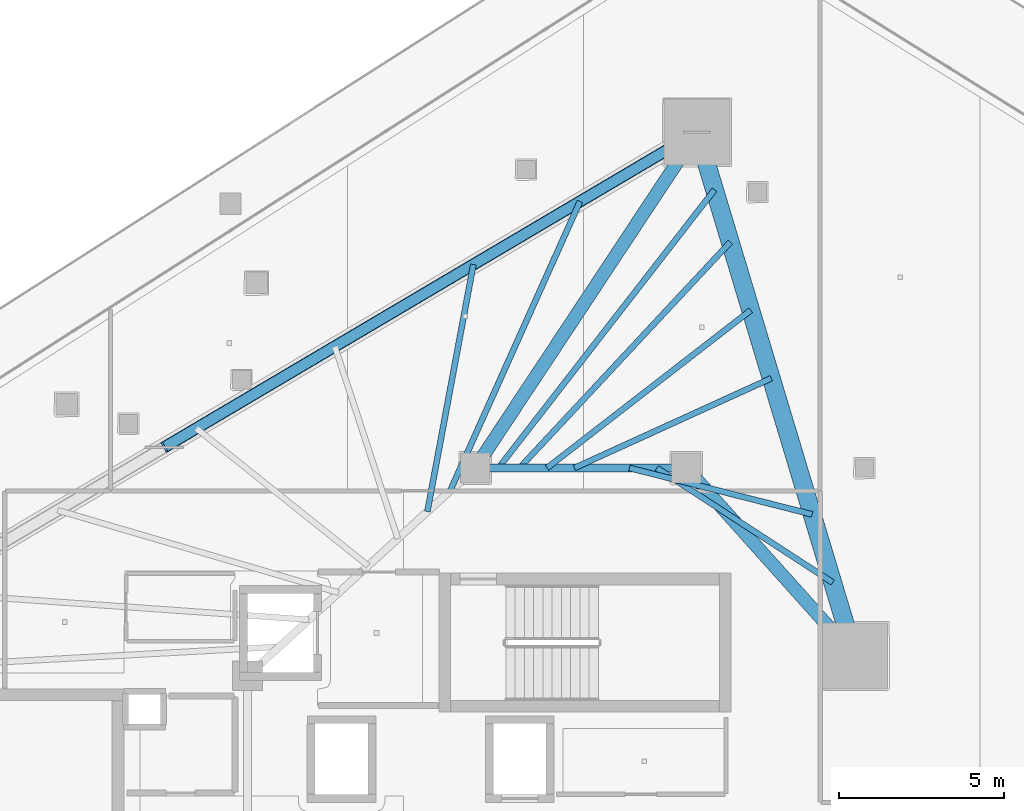
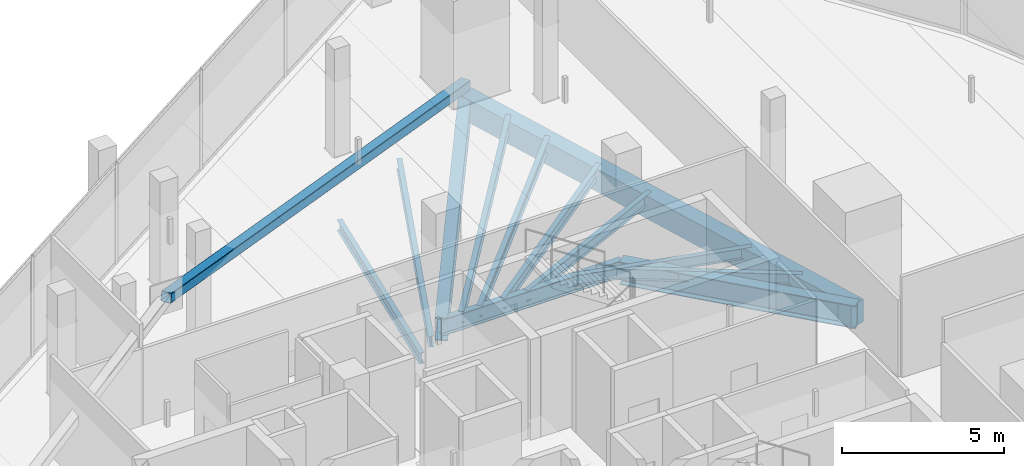
# One storey, part 19 of 39: 12 beams, 1 member.
"""IFC4 building model written with IfcOpenShell, lengths in metres."""

from ifc_helpers import new_model, si_unit, direction, frame, origin, origin_2d, place, context, subcontext, project, spatial, rectangle, hollow_rectangle, i_section, extrude, material, material_profile, profile_set, type_object, element, save


model = new_model("IFC4")

# Units and contexts
model_context = context("Model", 3, precision=1e-05, world=origin(), true_north=direction((0.0, 1.0)))
body_context = subcontext(model_context, "Body", "Model", "MODEL_VIEW")
ifc_project = project(units=[si_unit("LENGTHUNIT", "METRE"), si_unit("AREAUNIT", "SQUARE_METRE"), si_unit("VOLUMEUNIT", "CUBIC_METRE"), si_unit("PLANEANGLEUNIT", "RADIAN"), si_unit("MASSUNIT", "GRAM", prefix="KILO")], contexts=[model_context])

# Site, building, storey
site_placement = place(None, origin())
site = spatial("IfcSite", under=ifc_project, at=site_placement, CompositionType="ELEMENT")
building_placement = place(site_placement, origin())
building = spatial("IfcBuilding", under=site, at=building_placement, Name="Qorvath Tower", CompositionType="ELEMENT")
storey_placement = place(building_placement, frame((0.0, 0.0, 201.0)))
storey = spatial("IfcBuildingStorey", under=building, at=storey_placement, Name="L46", CompositionType="ELEMENT", Elevation=201.0)

# Beams
ifc_material_1 = material(Name="Steel ASTM A992 Grade 50", Category="steel")
ifc_material_profile_1 = material_profile(ifc_material_1, i_section(OverallWidth=0.39892578125, OverallDepth=0.85498046875, WebThickness=0.018310546875, FlangeThickness=0.029296875, FilletRadius=0.02001953125, at=origin_2d()), Name="W33x201")
ifc_profile_set_1 = profile_set([ifc_material_profile_1], Name="Steel ASTM A992 Grade 50")
beam_type_1 = type_object("IfcBeamType", Name="BM-FG2", PredefinedType="BEAM", material=ifc_profile_set_1)
beam_1_placement = place(storey_placement, frame((-23.60009765625, 11.449951171875, -0.697509765625), z_axis=(0.551500517741, 0.834174549439, 0.0), x_axis=(-0.834174549439, 0.551500517741, 0.0)))
element("IfcBeam", 1, at=beam_1_placement, inside=storey, type_object=beam_type_1, Name="Radial Floor Girder CC1-MC6 L46", PredefinedType="BEAM", context=body_context, shape_type="SweptSolid", body=[
    extrude(i_section(OverallWidth=0.39892578125, OverallDepth=0.85498046875, WebThickness=0.018310546875, FlangeThickness=0.029296875, FilletRadius=0.02001953125, at=origin_2d()), origin(), (0.0, 0.0, 1.0), 12.200439453125),
])
beam_2_placement = place(storey_placement, frame((-17.199951171875, 11.449951171875, -0.697509765625), z_axis=(0.667543184261, -0.744571082669, 0.0), x_axis=(0.744571082669, 0.667543184261, 0.0)))
element("IfcBeam", 2, at=beam_2_placement, inside=storey, type_object=beam_type_1, Name="Radial Floor Girder CC2-MC5 L46", PredefinedType="BEAM", context=body_context, shape_type="SweptSolid", body=[
    extrude(i_section(OverallWidth=0.39892578125, OverallDepth=0.85498046875, WebThickness=0.018310546875, FlangeThickness=0.029296875, FilletRadius=0.02001953125, at=origin_2d()), origin(), (0.0, 0.0, 1.0), 7.644775390625),
])
ifc_material_2 = material(Name="Steel ASTM A992 Grade 50", Category="steel")
ifc_material_profile_2 = material_profile(ifc_material_2, i_section(OverallWidth=0.22998046875, OverallDepth=0.616943359375, WebThickness=0.01318359375, FlangeThickness=0.022216796875, FilletRadius=0.014892578125, at=origin_2d()), Name="W24x94")
ifc_profile_set_2 = profile_set([ifc_material_profile_2], Name="Steel ASTM A992 Grade 50")
beam_type_2 = type_object("IfcBeamType", Name="BM-FG6", PredefinedType="BEAM", material=ifc_profile_set_2)
beam_3_placement = place(storey_placement, frame((-23.60009765625, 11.449951171875, -0.57861328125), z_axis=(1.0, 0.0, 0.0), x_axis=(0.0, 1.0, 0.0)))
element("IfcBeam", 3, at=beam_3_placement, inside=storey, type_object=beam_type_2, Name="Core Ring Girder CC1-CC2 L46", PredefinedType="BEAM", context=body_context, shape_type="SweptSolid", body=[
    extrude(i_section(OverallWidth=0.22998046875, OverallDepth=0.616943359375, WebThickness=0.01318359375, FlangeThickness=0.022216796875, FilletRadius=0.014892578125, at=origin_2d()), origin(), (0.0, 0.0, 1.0), 6.400146484375),
])
ifc_material_3 = material(Name="Steel ASTM A992 Grade 50", Category="steel")
ifc_material_profile_3 = material_profile(ifc_material_3, i_section(OverallWidth=0.177978515625, OverallDepth=0.406005859375, WebThickness=0.0078125, FlangeThickness=0.0126953125, FilletRadius=0.010986328125, at=origin_2d()), Name="W16x40")
ifc_profile_set_3 = profile_set([ifc_material_profile_3], Name="Steel ASTM A992 Grade 50")
beam_type_3 = type_object("IfcBeamType", Name="BM-FJ3", PredefinedType="JOIST", material=ifc_profile_set_3)
beam_4_placement = place(storey_placement, frame((-18.095947265625, 11.449951171875, -0.472900390625), z_axis=(0.838041756057, -0.545606098853, 0.0), x_axis=(0.545606098853, 0.838041756057, 0.0)))
element("IfcBeam", 4, at=beam_4_placement, inside=storey, type_object=beam_type_3, Name="Composite Floor Joist NE1 L46", PredefinedType="JOIST", context=body_context, shape_type="SweptSolid", body=[
    extrude(i_section(OverallWidth=0.177978515625, OverallDepth=0.406005859375, WebThickness=0.0078125, FlangeThickness=0.0126953125, FilletRadius=0.010986328125, at=origin_2d()), origin(), (0.0, 0.0, 1.0), 6.36083984375),
])
beam_5_placement = place(storey_placement, frame((-18.927978515625, 11.449951171875, -0.472900390625), z_axis=(0.969231577698, -0.246150662794, 0.0), x_axis=(0.246150662794, 0.969231577698, 0.0)))
element("IfcBeam", 5, at=beam_5_placement, inside=storey, type_object=beam_type_3, Name="Composite Floor Joist NE2 L46", PredefinedType="JOIST", context=body_context, shape_type="SweptSolid", body=[
    extrude(i_section(OverallWidth=0.177978515625, OverallDepth=0.406005859375, WebThickness=0.0078125, FlangeThickness=0.0126953125, FilletRadius=0.010986328125, at=origin_2d()), origin(), (0.0, 0.0, 1.0), 5.718017578125),
])
beam_6_placement = place(storey_placement, frame((-20.592041015625, 11.449951171875, -0.472900390625), z_axis=(0.909945081179, 0.414728765868, 0.0), x_axis=(-0.414728765868, 0.909945081179, 0.0)))
element("IfcBeam", 6, at=beam_6_placement, inside=storey, type_object=beam_type_3, Name="Composite Floor Joist NE4 L46", PredefinedType="JOIST", context=body_context, shape_type="SweptSolid", body=[
    extrude(i_section(OverallWidth=0.177978515625, OverallDepth=0.406005859375, WebThickness=0.0078125, FlangeThickness=0.0126953125, FilletRadius=0.010986328125, at=origin_2d()), origin(), (0.0, 0.0, 1.0), 6.554931640625),
])
beam_7_placement = place(storey_placement, frame((-21.424072265625, 11.449951171875, -0.472900390625), z_axis=(0.790693445503, 0.612212279555, 0.0), x_axis=(-0.612212279555, 0.790693445503, 0.0)))
element("IfcBeam", 7, at=beam_7_placement, inside=storey, type_object=beam_type_3, Name="Composite Floor Joist NE5 L46", PredefinedType="JOIST", context=body_context, shape_type="SweptSolid", body=[
    extrude(i_section(OverallWidth=0.177978515625, OverallDepth=0.406005859375, WebThickness=0.0078125, FlangeThickness=0.0126953125, FilletRadius=0.010986328125, at=origin_2d()), origin(), (0.0, 0.0, 1.0), 7.810546875),
])
beam_8_placement = place(storey_placement, frame((-22.256103515625, 11.449951171875, -0.472900390625), z_axis=(0.682249490937, 0.731119437654, 0.0), x_axis=(-0.731119437654, 0.682249490937, 0.0)))
element("IfcBeam", 8, at=beam_8_placement, inside=storey, type_object=beam_type_3, Name="Composite Floor Joist NE6 L46", PredefinedType="JOIST", context=body_context, shape_type="SweptSolid", body=[
    extrude(i_section(OverallWidth=0.177978515625, OverallDepth=0.406005859375, WebThickness=0.0078125, FlangeThickness=0.0126953125, FilletRadius=0.010986328125, at=origin_2d()), origin(), (0.0, 0.0, 1.0), 9.362060546875),
])
beam_9_placement = place(storey_placement, frame((-22.89599609375, 11.449951171875, -0.472900390625), z_axis=(0.61345131907, 0.789732536452, 0.0), x_axis=(-0.789732536452, 0.61345131907, 0.0)))
element("IfcBeam", 9, at=beam_9_placement, inside=storey, type_object=beam_type_3, Name="Composite Floor Joist NE7 L46", PredefinedType="JOIST", context=body_context, shape_type="SweptSolid", body=[
    extrude(i_section(OverallWidth=0.177978515625, OverallDepth=0.406005859375, WebThickness=0.0078125, FlangeThickness=0.0126953125, FilletRadius=0.010986328125, at=origin_2d()), origin(), (0.0, 0.0, 1.0), 10.676513671875),
])
beam_10_placement = place(storey_placement, frame((-25.049072265625, 10.126953125, -0.472900390625), z_axis=(0.183026775988, 0.983107928598, 0.0), x_axis=(-0.983107928598, 0.183026775988, 0.0)))
element("IfcBeam", 10, at=beam_10_placement, inside=storey, type_object=beam_type_3, Name="Composite Floor Joist NW6 L46", PredefinedType="JOIST", context=body_context, shape_type="SweptSolid", body=[
    extrude(i_section(OverallWidth=0.177978515625, OverallDepth=0.406005859375, WebThickness=0.0078125, FlangeThickness=0.0126953125, FilletRadius=0.010986328125, at=origin_2d()), origin(), (0.0, 0.0, 1.0), 7.617919921875),
])
beam_11_placement = place(storey_placement, frame((-24.35888671875, 10.757080078125, -0.472900390625), z_axis=(0.409327209141, 0.912387656568, 0.0), x_axis=(-0.912387656568, 0.409327209141, 0.0)))
element("IfcBeam", 11, at=beam_11_placement, inside=storey, type_object=beam_type_3, Name="Composite Floor Joist NW7 L46", PredefinedType="JOIST", context=body_context, shape_type="SweptSolid", body=[
    extrude(i_section(OverallWidth=0.177978515625, OverallDepth=0.406005859375, WebThickness=0.0078125, FlangeThickness=0.0126953125, FilletRadius=0.010986328125, at=origin_2d()), origin(), (0.0, 0.0, 1.0), 9.611083984375),
])
ifc_material_4 = material(Name="Concrete C50/60", Category="concrete")
ifc_material_profile_4 = material_profile(ifc_material_4, rectangle(XDim=0.550048828125, YDim=0.85009765625, at=origin_2d()), Name="RCB 850x550")
ifc_profile_set_4 = profile_set([ifc_material_profile_4], Name="Concrete C50/60")
beam_type_4 = type_object("IfcBeamType", Name="BM-RCB2", PredefinedType="SPANDREL", material=ifc_profile_set_4)
beam_12_placement = place(storey_placement, frame((-12.0966796875, 5.7578125, -0.695068359375), z_axis=(-0.28812763802, 0.957592013443, 0.0), x_axis=(-0.957592013443, -0.28812763802, 0.0)))
element("IfcBeam", 12, at=beam_12_placement, inside=storey, type_object=beam_type_4, Name="Perimeter Loggia Frame Beam MC5-MC6 L46", PredefinedType="SPANDREL", context=body_context, shape_type="SweptSolid", body=[
    extrude(rectangle(XDim=0.550048828125, YDim=0.85009765625, at=origin_2d()), origin(), (0.0, 0.0, 1.0), 16.572265625),
])

# Member
ifc_material_5 = material(Name="Steel ASTM A500 Grade C", Category="steel")
ifc_material_profile_5 = material_profile(ifc_material_5, hollow_rectangle(XDim=0.355712890625, YDim=0.355712890625, WallThickness=0.015869140625, InnerFilletRadius=0.015869140625, OuterFilletRadius=0.03173828125, at=origin_2d()), Name="HSS 356x356x16")
ifc_profile_set_5 = profile_set([ifc_material_profile_5], Name="Steel ASTM A500 Grade C")
member_type = type_object("IfcMemberType", Name="MEM-MB2", PredefinedType="BRACE", material=ifc_profile_set_5)
member_placement = place(storey_placement, frame((-16.87158203125, 21.627197265625, 0.0), z_axis=(-0.846741468388, -0.500689925738, 0.179829040973), x_axis=(0.508987501872, -0.860773909304, 0.0)))
element("IfcMember", 13, at=member_placement, inside=storey, type_object=member_type, Name="Perimeter Chevron Brace L46-1A", PredefinedType="BRACE", context=body_context, shape_type="SweptSolid", body=[
    extrude(hollow_rectangle(XDim=0.355712890625, YDim=0.355712890625, WallThickness=0.015869140625, InnerFilletRadius=0.015869140625, OuterFilletRadius=0.03173828125, at=origin_2d()), origin(), (0.0, 0.0, 1.0), 19.0732421875),
])

save(model, "model.ifc")
